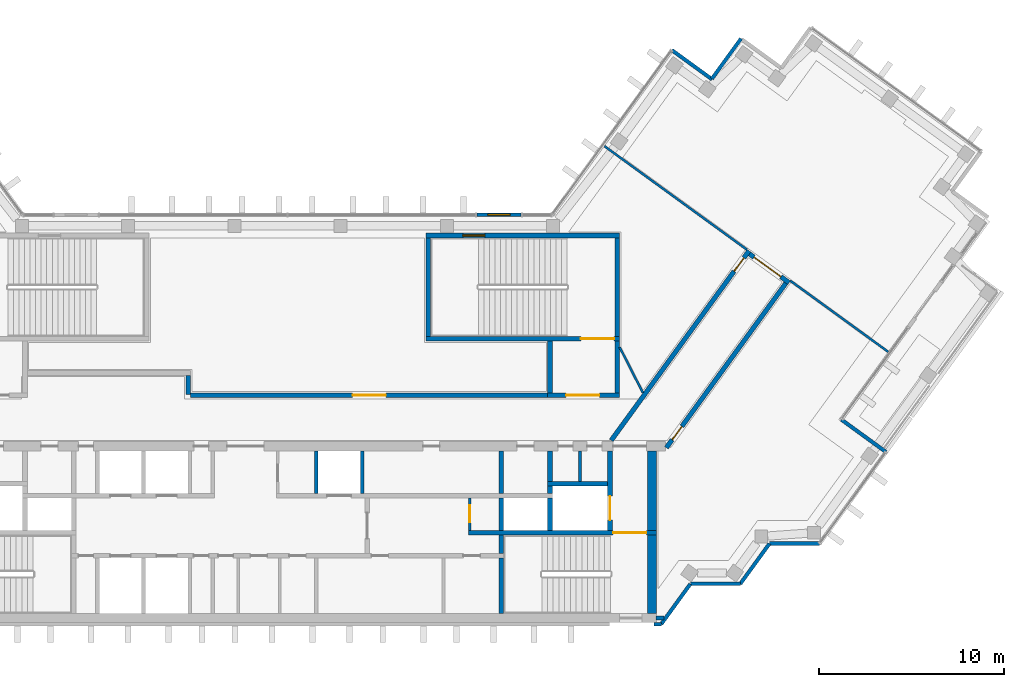
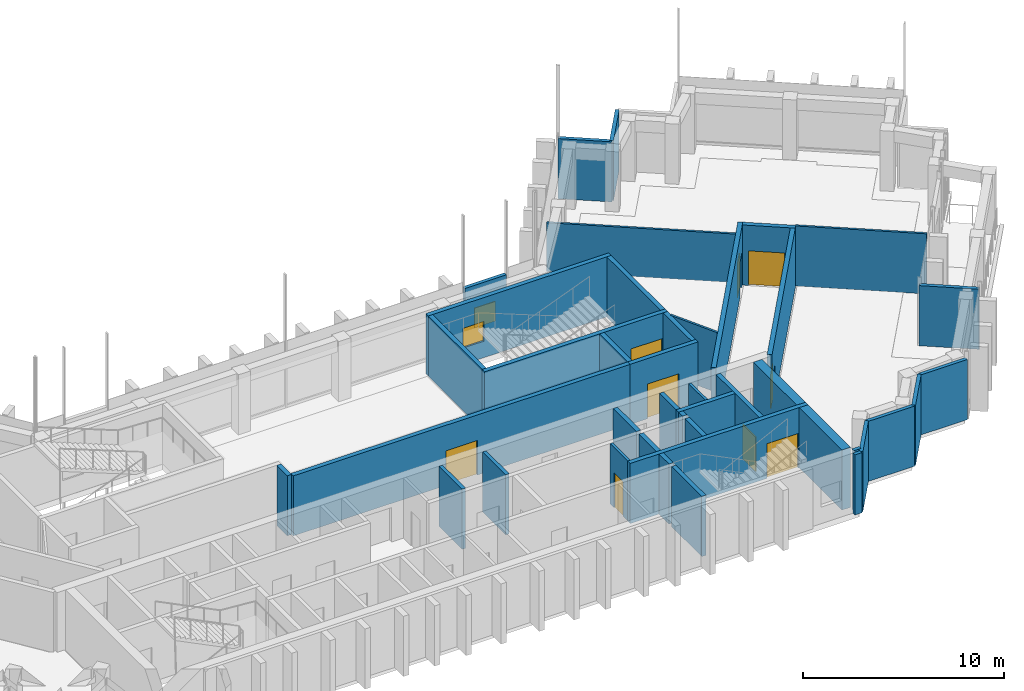
# One storey, part 11 of 14: 41 walls, 9 doors, 2 windows, 11 openings.
"""IFC4 building model written with IfcOpenShell, lengths in metres."""

from ifc_helpers import new_model, si_unit, direction, frame, frame_2d, origin, place, context, subcontext, project, spatial, rectangle, extrude, material, layer, layer_set, type_object, element, fill, save


model = new_model("IFC4")

# Units and contexts
model_context = context("Model", 3, precision=1e-05, world=origin(), true_north=direction((0.0, 1.0)))
body_context = subcontext(model_context, "Body", "Model", "MODEL_VIEW")
ifc_project = project(units=[si_unit("LENGTHUNIT", "METRE"), si_unit("AREAUNIT", "SQUARE_METRE"), si_unit("VOLUMEUNIT", "CUBIC_METRE"), si_unit("PLANEANGLEUNIT", "RADIAN"), si_unit("MASSUNIT", "GRAM", prefix="KILO")], contexts=[model_context])

# Site, building, storey
site_placement = place(None, origin())
site = spatial("IfcSite", under=ifc_project, at=site_placement, CompositionType="ELEMENT")
building_placement = place(site_placement, origin())
building = spatial("IfcBuilding", under=site, at=building_placement, Name="Quipu Civic Tower", CompositionType="ELEMENT")
storey_placement = place(building_placement, frame((0.0, 0.0, 311.0)))
storey = spatial("IfcBuildingStorey", under=building, at=storey_placement, Name="L72", CompositionType="ELEMENT", Elevation=311.0)

# Walls
ifc_material_1 = material(Name="Concrete C70/85", Category="concrete")
ifc_layer_1 = layer(ifc_material_1, 0.25)
ifc_layer_set_1 = layer_set([ifc_layer_1], Name="Concrete C70/85")
wall_type_1 = type_object("IfcWallType", Name="Core wall 250", PredefinedType="SHEAR", material=ifc_layer_set_1)
wall_1_placement = place(storey_placement, frame((11.574951171875, -10.5, 0.0), z_axis=(0.0, 0.0, 1.0), x_axis=(0.0, 1.0, 0.0)))
element("IfcWall", 1, at=wall_1_placement, inside=storey, type_object=wall_type_1, Name="Core wall", PredefinedType="SHEAR", context=body_context, shape_type="SweptSolid", body=[
    extrude(rectangle(XDim=3.0, YDim=0.25, at=frame_2d((1.5, 0.0))), origin(), (0.0, 0.0, 1.0), 3.64990234375),
])
wall_2_placement = place(storey_placement, frame((11.574951171875, -7.25, 0.0), z_axis=(0.0, 0.0, 1.0), x_axis=(0.0, 1.0, 0.0)))
element("IfcWall", 2, at=wall_2_placement, inside=storey, type_object=wall_type_1, Name="Core wall", PredefinedType="SHEAR", context=body_context, shape_type="SweptSolid", body=[
    extrude(rectangle(XDim=1.0, YDim=0.25, at=frame_2d((0.5, 0.0))), origin(), (0.0, 0.0, 1.0), 3.64990234375),
])

# Wall, opening, door
wall_3_placement = place(storey_placement, frame((20.0, -6.125, 0.0), z_axis=(0.0, 0.0, 1.0), x_axis=(-1.0, 0.0, 0.0)))
wall_3 = element("IfcWall", 3, at=wall_3_placement, inside=storey, type_object=wall_type_1, Name="Core wall", PredefinedType="SHEAR", context=body_context, shape_type="SweptSolid", body=[
    extrude(rectangle(XDim=10.199951171875, YDim=0.25, at=frame_2d((5.10009765625, 0.0))), origin(), (0.0, 0.0, 1.0), 3.64990234375),
])
opening_1_placement = place(wall_3_placement, frame((0.550048828125, 0.0, 0.0)))
opening_1 = element("IfcOpeningElement", 4, at=opening_1_placement, cuts=wall_3, Name="Opening CD-09", PredefinedType="OPENING", context=body_context, shape_type="SweptSolid", body=[
    extrude(rectangle(XDim=1.800048828125, YDim=2.10009765625, at=frame_2d((0.89990234375, 1.050048828125))), frame((0.0, 0.135009765625, 0.0), z_axis=(0.0, -1.0, 0.0), x_axis=(1.0, 0.0, 0.0)), (0.0, 0.0, 1.0), 0.27001953125),
])
ifc_material_2 = material(Name="Fire rated steel door", Category="steel")
door_type_1 = type_object("IfcDoorType", Name="Fire door FD90 double 1800 x 2100", OperationType="NOTDEFINED", PredefinedType="DOOR", material=ifc_material_2)
door_1_placement = place(opening_1_placement, origin())
door_1 = element("IfcDoor", 5, at=door_1_placement, inside=storey, type_object=door_type_1, Name="Door", OperationType="DOUBLE_DOOR_SINGLE_SWING", OverallHeight=2.10009765625, OverallWidth=1.800048828125, PredefinedType="DOOR", context=body_context, shape_type="SweptSolid", body=[
    extrude(rectangle(XDim=1.800048828125, YDim=2.10009765625, at=frame_2d((0.89990234375, 1.050048828125))), frame((0.0, 0.02490234375, 0.0), z_axis=(0.0, -1.0, 0.0), x_axis=(1.0, 0.0, 0.0)), (0.0, 0.0, 1.0), 0.050048828125),
])
fill(opening_1, door_1)

# Walls
for number, where, z_axis, x_axis, name in (
    (6, (11.574951171875, -6.0, 0.0), (0.0, 0.0, 1.0), (0.0, 1.0, 0.0), "Core wall"),
    (7, (14.22509765625, -6.0, 0.0), (0.0, 0.0, 1.0), (0.0, 1.0, 0.0), "Core wall"),
):
    element("IfcWall", number, at=place(storey_placement, frame(where, z_axis=z_axis, x_axis=x_axis)), inside=storey, type_object=wall_type_1, Name=name, PredefinedType="SHEAR", context=body_context, shape_type="SweptSolid", body=[
        extrude(rectangle(XDim=1.75, YDim=0.25, at=frame_2d((0.875, 0.0))), origin(), (0.0, 0.0, 1.0), 3.64990234375),
    ])

# Wall, opening, door
wall_4_placement = place(storey_placement, frame((17.47509765625, -6.0, 0.0), z_axis=(0.0, 0.0, 1.0), x_axis=(0.0, 1.0, 0.0)))
wall_4 = element("IfcWall", 8, at=wall_4_placement, inside=storey, type_object=wall_type_1, Name="Core wall", PredefinedType="SHEAR", context=body_context, shape_type="SweptSolid", body=[
    extrude(rectangle(XDim=4.300048828125, YDim=0.25, at=frame_2d((2.14990234375, 0.0))), origin(), (0.0, 0.0, 1.0), 3.64990234375),
])
opening_2_placement = place(wall_4_placement, frame((0.550048828125, 0.0, 0.0)))
opening_2 = element("IfcOpeningElement", 9, at=opening_2_placement, cuts=wall_4, Name="Opening LD-FF2", PredefinedType="OPENING", context=body_context, shape_type="SweptSolid", body=[
    extrude(rectangle(XDim=1.300048828125, YDim=2.10009765625, at=frame_2d((0.64990234375, 1.050048828125))), frame((0.0, 0.135009765625, 0.0), z_axis=(0.0, -1.0, 0.0), x_axis=(1.0, 0.0, 0.0)), (0.0, 0.0, 1.0), 0.27001953125),
])
ifc_material_3 = material(Name="Stainless steel", Category="steel")
door_type_2 = type_object("IfcDoorType", Name="Lift landing door 1300 x 2100", OperationType="DOUBLE_DOOR_SLIDING", PredefinedType="DOOR", material=ifc_material_3)
door_2_placement = place(opening_2_placement, origin())
door_2 = element("IfcDoor", 10, at=door_2_placement, inside=storey, type_object=door_type_2, Name="Landing door FF2", OperationType="DOUBLE_DOOR_SLIDING", OverallHeight=2.10009765625, OverallWidth=1.300048828125, PredefinedType="DOOR", context=body_context, shape_type="SweptSolid", body=[
    extrude(rectangle(XDim=1.300048828125, YDim=2.10009765625, at=frame_2d((0.64990234375, 1.050048828125))), frame((0.0, 0.02490234375, 0.0), z_axis=(0.0, -1.0, 0.0), x_axis=(1.0, 0.0, 0.0)), (0.0, 0.0, 1.0), 0.050048828125),
])
fill(opening_2, door_2)

# Walls
wall_5_placement = place(storey_placement, frame((11.574951171875, -4.0, 0.0), z_axis=(0.0, 0.0, 1.0), x_axis=(0.0, 1.0, 0.0)))
element("IfcWall", 11, at=wall_5_placement, inside=storey, type_object=wall_type_1, Name="Core wall", PredefinedType="SHEAR", context=body_context, shape_type="SweptSolid", body=[
    extrude(rectangle(XDim=2.300048828125, YDim=0.25, at=frame_2d((1.14990234375, 0.0))), origin(), (0.0, 0.0, 1.0), 3.64990234375),
])
wall_6_placement = place(storey_placement, frame((14.22509765625, -4.0, 0.0), z_axis=(0.0, 0.0, 1.0), x_axis=(0.0, 1.0, 0.0)))
element("IfcWall", 12, at=wall_6_placement, inside=storey, type_object=wall_type_1, Name="Core wall", PredefinedType="SHEAR", context=body_context, shape_type="SweptSolid", body=[
    extrude(rectangle(XDim=0.39990234375, YDim=0.25, at=frame_2d((0.199951171875, 0.0))), origin(), (0.0, 0.0, 1.0), 3.64990234375),
])
wall_7_placement = place(storey_placement, frame((14.10009765625, -3.47509765625, 0.0), z_axis=(0.0, 0.0, 1.0), x_axis=(1.0, 0.0, 0.0)))
element("IfcWall", 13, at=wall_7_placement, inside=storey, type_object=wall_type_1, Name="Core wall", PredefinedType="SHEAR", context=body_context, shape_type="SweptSolid", body=[
    extrude(rectangle(XDim=3.25, YDim=0.25, at=frame_2d((1.625, 0.0))), origin(), (0.0, 0.0, 1.0), 3.64990234375),
])
wall_8_placement = place(storey_placement, frame((14.22509765625, -3.35009765625, 0.0), z_axis=(0.0, 0.0, 1.0), x_axis=(0.0, 1.0, 0.0)))
element("IfcWall", 14, at=wall_8_placement, inside=storey, type_object=wall_type_1, Name="Core wall", PredefinedType="SHEAR", context=body_context, shape_type="SweptSolid", body=[
    extrude(rectangle(XDim=1.650146484375, YDim=0.25, at=frame_2d((0.8251953125, 0.0))), origin(), (0.0, 0.0, 1.0), 3.64990234375),
])

# Wall, opening, door
wall_9_placement = place(storey_placement, frame((14.10009765625, 1.324951171875, 0.0), z_axis=(0.0, 0.0, 1.0), x_axis=(1.0, 0.0, 0.0)))
wall_9 = element("IfcWall", 15, at=wall_9_placement, inside=storey, type_object=wall_type_1, Name="Core wall", PredefinedType="SHEAR", context=body_context, shape_type="SweptSolid", body=[
    extrude(rectangle(XDim=3.89990234375, YDim=0.25, at=frame_2d((1.949951171875, 0.0))), origin(), (0.0, 0.0, 1.0), 3.64990234375),
])
opening_3_placement = place(wall_9_placement, frame((1.0, 0.0, 0.0)))
opening_3 = element("IfcOpeningElement", 16, at=opening_3_placement, cuts=wall_9, Name="Opening CD-26", PredefinedType="OPENING", context=body_context, shape_type="SweptSolid", body=[
    extrude(rectangle(XDim=1.800048828125, YDim=2.10009765625, at=frame_2d((0.89990234375, 1.050048828125))), frame((0.0, 0.135009765625, 0.0), z_axis=(0.0, -1.0, 0.0), x_axis=(1.0, 0.0, 0.0)), (0.0, 0.0, 1.0), 0.27001953125),
])
door_3_placement = place(opening_3_placement, origin())
door_3 = element("IfcDoor", 17, at=door_3_placement, inside=storey, type_object=door_type_1, Name="Lobby door", OperationType="DOUBLE_DOOR_SINGLE_SWING", OverallHeight=2.10009765625, OverallWidth=1.800048828125, PredefinedType="DOOR", context=body_context, shape_type="SweptSolid", body=[
    extrude(rectangle(XDim=1.800048828125, YDim=2.10009765625, at=frame_2d((0.89990234375, 1.050048828125))), frame((0.0, 0.02490234375, 0.0), z_axis=(0.0, -1.0, 0.0), x_axis=(1.0, 0.0, 0.0)), (0.0, 0.0, 1.0), 0.050048828125),
])
fill(opening_3, door_3)

# Walls
for number, where, z_axis, x_axis, name in (
    (18, (14.22509765625, 1.449951171875, 0.0), (0.0, 0.0, 1.0), (0.0, 1.0, 0.0), "Core wall"),
    (19, (17.875, 1.449951171875, 0.0), (0.0, 0.0, 1.0), (0.0, 1.0, 0.0), "Core wall"),
):
    element("IfcWall", number, at=place(storey_placement, frame(where, z_axis=z_axis, x_axis=x_axis)), inside=storey, type_object=wall_type_1, Name=name, PredefinedType="SHEAR", context=body_context, shape_type="SweptSolid", body=[
        extrude(rectangle(XDim=2.800048828125, YDim=0.25, at=frame_2d((1.39990234375, 0.0))), origin(), (0.0, 0.0, 1.0), 3.64990234375),
    ])

# Wall, opening, door
wall_10_placement = place(storey_placement, frame((7.5, 4.375, 0.0), z_axis=(0.0, 0.0, 1.0), x_axis=(1.0, 0.0, 0.0)))
wall_10 = element("IfcWall", 20, at=wall_10_placement, inside=storey, type_object=wall_type_1, Name="Core wall", PredefinedType="SHEAR", context=body_context, shape_type="SweptSolid", body=[
    extrude(rectangle(XDim=10.5, YDim=0.25, at=frame_2d((5.25, 0.0))), origin(), (0.0, 0.0, 1.0), 3.64990234375),
])
opening_4_placement = place(wall_10_placement, frame((8.39990234375, 0.0, 0.0)))
opening_4 = element("IfcOpeningElement", 21, at=opening_4_placement, cuts=wall_10, Name="Opening CD-27", PredefinedType="OPENING", context=body_context, shape_type="SweptSolid", body=[
    extrude(rectangle(XDim=1.800048828125, YDim=2.10009765625, at=frame_2d((0.89990234375, 1.050048828125))), frame((0.0, 0.135009765625, 0.0), z_axis=(0.0, -1.0, 0.0), x_axis=(1.0, 0.0, 0.0)), (0.0, 0.0, 1.0), 0.27001953125),
])
door_4_placement = place(opening_4_placement, origin())
door_4 = element("IfcDoor", 22, at=door_4_placement, inside=storey, type_object=door_type_1, Name="Door", OperationType="DOUBLE_DOOR_SINGLE_SWING", OverallHeight=2.10009765625, OverallWidth=1.800048828125, PredefinedType="DOOR", context=body_context, shape_type="SweptSolid", body=[
    extrude(rectangle(XDim=1.800048828125, YDim=2.10009765625, at=frame_2d((0.89990234375, 1.050048828125))), frame((0.0, 0.02490234375, 0.0), z_axis=(0.0, -1.0, 0.0), x_axis=(1.0, 0.0, 0.0)), (0.0, 0.0, 1.0), 0.050048828125),
])
fill(opening_4, door_4)

# Walls
for number, where, z_axis, x_axis, name in (
    (23, (7.625, 4.5, 0.0), (0.0, 0.0, 1.0), (0.0, 1.0, 0.0), "Core wall"),
    (24, (17.875, 4.5, 0.0), (0.0, 0.0, 1.0), (0.0, 1.0, 0.0), "Core wall"),
):
    element("IfcWall", number, at=place(storey_placement, frame(where, z_axis=z_axis, x_axis=x_axis)), inside=storey, type_object=wall_type_1, Name=name, PredefinedType="SHEAR", context=body_context, shape_type="SweptSolid", body=[
        extrude(rectangle(XDim=5.35009765625, YDim=0.25, at=frame_2d((2.675048828125, 0.0))), origin(), (0.0, 0.0, 1.0), 3.64990234375),
    ])

# Wall, opening, window
wall_11_placement = place(storey_placement, frame((7.5, 9.97509765625, 0.0), z_axis=(0.0, 0.0, 1.0), x_axis=(1.0, 0.0, 0.0)))
wall_11 = element("IfcWall", 25, at=wall_11_placement, inside=storey, type_object=wall_type_1, Name="Core wall", PredefinedType="SHEAR", context=body_context, shape_type="SweptSolid", body=[
    extrude(rectangle(XDim=10.5, YDim=0.25, at=frame_2d((5.25, 0.0))), origin(), (0.0, 0.0, 1.0), 3.64990234375),
])
opening_5_placement = place(wall_11_placement, frame((2.0, 0.0, 1.0)))
opening_5 = element("IfcOpeningElement", 26, at=opening_5_placement, cuts=wall_11, Name="Opening SV-4", PredefinedType="OPENING", context=body_context, shape_type="SweptSolid", body=[
    extrude(rectangle(XDim=1.199951171875, YDim=1.199951171875, at=frame_2d((0.60009765625, 0.60009765625))), frame((0.0, 0.135009765625, 0.0), z_axis=(0.0, -1.0, 0.0), x_axis=(1.0, 0.0, 0.0)), (0.0, 0.0, 1.0), 0.27001953125),
])
ifc_material_4 = material(Name="Aluminium louvre", Category="aluminium")
window_type_1 = type_object("IfcWindowType", Name="Stair ventilation louvre 1200 x 1200", PartitioningType="SINGLE_PANEL", PredefinedType="WINDOW", material=ifc_material_4)
window_1_placement = place(opening_5_placement, origin())
window_1 = element("IfcWindow", 27, at=window_1_placement, inside=storey, type_object=window_type_1, Name="Stair ventilation opening", OverallHeight=1.199951171875, OverallWidth=1.199951171875, PartitioningType="SINGLE_PANEL", PredefinedType="WINDOW", context=body_context, shape_type="SweptSolid", body=[
    extrude(rectangle(XDim=1.199951171875, YDim=1.199951171875, at=frame_2d((0.60009765625, 0.60009765625))), frame((0.0, 0.030029296875, 0.0), z_axis=(0.0, -1.0, 0.0), x_axis=(1.0, 0.0, 0.0)), (0.0, 0.0, 1.0), 0.06005859375),
])
fill(opening_5, window_1)

# Walls
ifc_material_5 = material(Name="Concrete C70/85", Category="concrete")
ifc_layer_2 = layer(ifc_material_5, 0.5)
ifc_layer_set_2 = layer_set([ifc_layer_2], Name="Concrete C70/85")
wall_type_2 = type_object("IfcWallType", Name="Core wall 500", PredefinedType="SHEAR", material=ifc_layer_set_2)
wall_12_placement = place(storey_placement, frame((19.75, -10.5, 0.0), z_axis=(0.0, 0.0, 1.0), x_axis=(0.0, 1.0, 0.0)))
element("IfcWall", 28, at=wall_12_placement, inside=storey, type_object=wall_type_2, Name="Core wall", PredefinedType="SHEAR", context=body_context, shape_type="SweptSolid", body=[
    extrude(rectangle(XDim=4.25, YDim=0.5, at=frame_2d((2.125, 0.0))), origin(), (0.0, 0.0, 1.0), 3.64990234375),
])
wall_13_placement = place(storey_placement, frame((19.75, -6.0, 0.0), z_axis=(0.0, 0.0, 1.0), x_axis=(0.0, 1.0, 0.0)))
element("IfcWall", 29, at=wall_13_placement, inside=storey, type_object=wall_type_2, Name="Core wall", PredefinedType="SHEAR", context=body_context, shape_type="SweptSolid", body=[
    extrude(rectangle(XDim=4.300048828125, YDim=0.5, at=frame_2d((2.14990234375, 0.0))), origin(), (0.0, 0.0, 1.0), 3.64990234375),
])

# Wall, opening, door
ifc_material_6 = material(Name="Concrete C50/60", Category="concrete")
ifc_layer_3 = layer(ifc_material_6, 0.25)
ifc_layer_set_3 = layer_set([ifc_layer_3], Name="Concrete C50/60")
wall_type_3 = type_object("IfcWallType", Name="Corridor wall 250 concrete", PredefinedType="SOLIDWALL", material=ifc_layer_set_3)
wall_14_placement = place(storey_placement, frame((17.544921875, -1.124755859375, 0.0), z_axis=(0.0, 0.0, 1.0), x_axis=(0.587796810203, 0.809008596935, 0.0)))
wall_14 = element("IfcWall", 30, at=wall_14_placement, inside=storey, type_object=wall_type_3, Name="Corridor wall C01", PredefinedType="SOLIDWALL", context=body_context, shape_type="SweptSolid", body=[
    extrude(rectangle(XDim=12.703125, YDim=0.25, at=frame_2d((6.3515625, 0.0))), origin(), (0.0, 0.0, 1.0), 3.64990234375),
])
opening_6_placement = place(wall_14_placement, frame((11.32861328125, 0.0, 0.0)))
opening_6 = element("IfcOpeningElement", 31, at=opening_6_placement, cuts=wall_14, Name="Opening D001", PredefinedType="OPENING", context=body_context, shape_type="SweptSolid", body=[
    extrude(rectangle(XDim=0.89990234375, YDim=2.10009765625, at=frame_2d((0.449951171875, 1.050048828125))), frame((0.0, 0.135009765625, 0.0), z_axis=(0.0, -1.0, 0.0), x_axis=(1.0, 0.0, 0.0)), (0.0, 0.0, 1.0), 0.27001953125),
])
ifc_material_7 = material(Name="Fire rated timber door set with metal frame", Category="wood")
door_type_3 = type_object("IfcDoorType", Name="Single door 900 x 2100 FD60", OperationType="NOTDEFINED", PredefinedType="DOOR", material=ifc_material_7)
door_5_placement = place(opening_6_placement, origin())
door_5 = element("IfcDoor", 32, at=door_5_placement, inside=storey, type_object=door_type_3, Name="Door D001", OperationType="SINGLE_SWING_RIGHT", OverallHeight=2.10009765625, OverallWidth=0.89990234375, PredefinedType="DOOR", context=body_context, shape_type="SweptSolid", body=[
    extrude(rectangle(XDim=0.89990234375, YDim=2.10009765625, at=frame_2d((0.449951171875, 1.050048828125))), frame((0.0, 0.02490234375, 0.0), z_axis=(0.0, -1.0, 0.0), x_axis=(1.0, 0.0, 0.0)), (0.0, 0.0, 1.0), 0.050048828125),
])
fill(opening_6, door_5)

wall_15_placement = place(storey_placement, frame((25.039306640625, 8.9775390625, 0.0), z_axis=(0.0, 0.0, 1.0), x_axis=(0.809006914995, -0.587799125119, 0.0)))
wall_15 = element("IfcWall", 33, at=wall_15_placement, inside=storey, type_object=wall_type_3, Name="Corridor wall C02", PredefinedType="SOLIDWALL", context=body_context, shape_type="SweptSolid", body=[
    extrude(rectangle(XDim=2.64990234375, YDim=0.25, at=frame_2d((1.324951171875, 0.0))), origin(), (0.0, 0.0, 1.0), 3.64990234375),
])
opening_7_placement = place(wall_15_placement, frame((0.300537109375, 0.0, 0.0)))
opening_7 = element("IfcOpeningElement", 34, at=opening_7_placement, cuts=wall_15, Name="Opening D003", PredefinedType="OPENING", context=body_context, shape_type="SweptSolid", body=[
    extrude(rectangle(XDim=1.800048828125, YDim=2.10009765625, at=frame_2d((0.89990234375, 1.050048828125))), frame((0.0, 0.135009765625, 0.0), z_axis=(0.0, -1.0, 0.0), x_axis=(1.0, 0.0, 0.0)), (0.0, 0.0, 1.0), 0.27001953125),
])
ifc_material_8 = material(Name="Fire rated timber door set with metal frame", Category="wood")
door_type_4 = type_object("IfcDoorType", Name="Double door 1800 x 2100 FD60", OperationType="DOUBLE_DOOR_SINGLE_SWING", PredefinedType="DOOR", material=ifc_material_8)
door_6_placement = place(opening_7_placement, origin())
door_6 = element("IfcDoor", 35, at=door_6_placement, inside=storey, type_object=door_type_4, Name="Door D003", OperationType="DOUBLE_DOOR_SINGLE_SWING", OverallHeight=2.10009765625, OverallWidth=1.800048828125, PredefinedType="DOOR", context=body_context, shape_type="SweptSolid", body=[
    extrude(rectangle(XDim=1.800048828125, YDim=2.10009765625, at=frame_2d((0.89990234375, 1.050048828125))), frame((0.0, 0.02490234375, 0.0), z_axis=(0.0, -1.0, 0.0), x_axis=(1.0, 0.0, 0.0)), (0.0, 0.0, 1.0), 0.050048828125),
])
fill(opening_7, door_6)

wall_16_placement = place(storey_placement, frame((27.008544921875, 7.392333984375, 0.0), z_axis=(0.0, 0.0, 1.0), x_axis=(-0.587776457057, -0.809023384414, 0.0)))
wall_16 = element("IfcWall", 36, at=wall_16_placement, inside=storey, type_object=wall_type_3, Name="Corridor wall C03", PredefinedType="SOLIDWALL", context=body_context, shape_type="SweptSolid", body=[
    extrude(rectangle(XDim=11.0205078125, YDim=0.25, at=frame_2d((5.51025390625, 0.0))), origin(), (0.0, 0.0, 1.0), 3.64990234375),
])
opening_8_placement = place(wall_16_placement, frame((9.587646484375, 0.0, 0.0)))
opening_8 = element("IfcOpeningElement", 37, at=opening_8_placement, cuts=wall_16, Name="Opening D002", PredefinedType="OPENING", context=body_context, shape_type="SweptSolid", body=[
    extrude(rectangle(XDim=0.89990234375, YDim=2.10009765625, at=frame_2d((0.449951171875, 1.050048828125))), frame((0.0, 0.135009765625, 0.0), z_axis=(0.0, -1.0, 0.0), x_axis=(1.0, 0.0, 0.0)), (0.0, 0.0, 1.0), 0.27001953125),
])
door_7_placement = place(opening_8_placement, origin())
door_7 = element("IfcDoor", 38, at=door_7_placement, inside=storey, type_object=door_type_3, Name="Door D002", OperationType="SINGLE_SWING_RIGHT", OverallHeight=2.10009765625, OverallWidth=0.89990234375, PredefinedType="DOOR", context=body_context, shape_type="SweptSolid", body=[
    extrude(rectangle(XDim=0.89990234375, YDim=2.10009765625, at=frame_2d((0.449951171875, 1.050048828125))), frame((0.0, 0.02490234375, 0.0), z_axis=(0.0, -1.0, 0.0), x_axis=(1.0, 0.0, 0.0)), (0.0, 0.0, 1.0), 0.050048828125),
])
fill(opening_8, door_7)

# Wall
wall_17_placement = place(storey_placement, frame((-5.375, 2.39990234375, 0.0), z_axis=(0.0, 0.0, 1.0), x_axis=(0.0, -1.0, 0.0)))
element("IfcWall", 39, at=wall_17_placement, inside=storey, type_object=wall_type_3, Name="Corridor wall C08", PredefinedType="SOLIDWALL", context=body_context, shape_type="SweptSolid", body=[
    extrude(rectangle(XDim=1.041259765625, YDim=0.25, at=frame_2d((0.5205078125, 0.0))), origin(), (0.0, 0.0, 1.0), 3.64990234375),
])

# Wall, opening, door
wall_18_placement = place(storey_placement, frame((-5.246337890625, 1.324951171875, 0.0), z_axis=(0.0, 0.0, 1.0), x_axis=(1.0, 0.0, 0.0)))
wall_18 = element("IfcWall", 40, at=wall_18_placement, inside=storey, type_object=wall_type_3, Name="Corridor wall C09", PredefinedType="SOLIDWALL", context=body_context, shape_type="SweptSolid", body=[
    extrude(rectangle(XDim=19.33642578125, YDim=0.25, at=frame_2d((9.668212890625, 0.0))), origin(), (0.0, 0.0, 1.0), 3.64990234375),
])
opening_9_placement = place(wall_18_placement, frame((8.771240234375, 0.0, 0.0)))
opening_9 = element("IfcOpeningElement", 41, at=opening_9_placement, cuts=wall_18, Name="Opening D004", PredefinedType="OPENING", context=body_context, shape_type="SweptSolid", body=[
    extrude(rectangle(XDim=1.800048828125, YDim=2.10009765625, at=frame_2d((0.89990234375, 1.050048828125))), frame((0.0, 0.135009765625, 0.0), z_axis=(0.0, -1.0, 0.0), x_axis=(1.0, 0.0, 0.0)), (0.0, 0.0, 1.0), 0.27001953125),
])
door_8_placement = place(opening_9_placement, origin())
door_8 = element("IfcDoor", 42, at=door_8_placement, inside=storey, type_object=door_type_4, Name="Door D004", OperationType="DOUBLE_DOOR_SINGLE_SWING", OverallHeight=2.10009765625, OverallWidth=1.800048828125, PredefinedType="DOOR", context=body_context, shape_type="SweptSolid", body=[
    extrude(rectangle(XDim=1.800048828125, YDim=2.10009765625, at=frame_2d((0.89990234375, 1.050048828125))), frame((0.0, 0.02490234375, 0.0), z_axis=(0.0, -1.0, 0.0), x_axis=(1.0, 0.0, 0.0)), (0.0, 0.0, 1.0), 0.050048828125),
])
fill(opening_9, door_8)

# Walls
ifc_material_9 = material(Name="Gypsum plasterboard on light gauge framing")
ifc_layer_4 = layer(ifc_material_9, 0.1201171875)
ifc_layer_set_4 = layer_set([ifc_layer_4], Name="Gypsum plasterboard on light gauge framing")
wall_type_4 = type_object("IfcWallType", Name="Partition 120 plasterboard", PredefinedType="PARTITIONING", material=ifc_layer_set_4)
wall_19_placement = place(storey_placement, frame((24.898193359375, 9.209716796875, 0.0), z_axis=(0.0, 0.0, 1.0), x_axis=(-0.809046636998, 0.587744450559, 0.0)))
element("IfcWall", 43, at=wall_19_placement, inside=storey, type_object=wall_type_4, Name="Partition P01", PredefinedType="PARTITIONING", context=body_context, shape_type="SweptSolid", body=[
    extrude(rectangle(XDim=9.54931640625, YDim=0.1201171875, at=frame_2d((4.774658203125, 0.0))), origin(), (0.0, 0.0, 1.0), 2.949951171875),
])
wall_20_placement = place(storey_placement, frame((27.24072265625, 7.53271484375, 0.0), z_axis=(0.0, 0.0, 1.0), x_axis=(0.809057351259, -0.587729701796, 0.0)))
element("IfcWall", 44, at=wall_20_placement, inside=storey, type_object=wall_type_4, Name="Partition P04", PredefinedType="PARTITIONING", context=body_context, shape_type="SweptSolid", body=[
    extrude(rectangle(XDim=6.56982421875, YDim=0.1201171875, at=frame_2d((3.284912109375, 0.0))), origin(), (0.0, 0.0, 1.0), 3.64990234375),
])
wall_21_placement = place(storey_placement, frame((18.0, 3.925048828125, 0.0), z_axis=(0.0, 0.0, 1.0), x_axis=(0.453950796792, -0.891026752736, 0.0)))
element("IfcWall", 45, at=wall_21_placement, inside=storey, type_object=wall_type_4, Name="Partition P05", PredefinedType="PARTITIONING", context=body_context, shape_type="SweptSolid", body=[
    extrude(rectangle(XDim=2.77783203125, YDim=0.1201171875, at=frame_2d((1.388916015625, 0.0))), origin(), (0.0, 0.0, 1.0), 3.64990234375),
])

# Wall, opening, door
ifc_material_10 = material(Name="Gypsum board partition")
ifc_layer_5 = layer(ifc_material_10, 0.14990234375)
ifc_layer_set_5 = layer_set([ifc_layer_5], Name="Gypsum board partition")
wall_type_5 = type_object("IfcWallType", Name="Partition 150", PredefinedType="PARTITIONING", material=ifc_layer_set_5)
wall_22_placement = place(storey_placement, frame((9.875, -6.0, 0.0), z_axis=(0.0, 0.0, 1.0), x_axis=(0.0, 1.0, 0.0)))
wall_22 = element("IfcWall", 46, at=wall_22_placement, inside=storey, type_object=wall_type_5, Name="Partition", PredefinedType="PARTITIONING", context=body_context, shape_type="SweptSolid", body=[
    extrude(rectangle(XDim=1.75, YDim=0.14990234375, at=frame_2d((0.875, 0.0))), origin(), (0.0, 0.0, 1.0), 3.64990234375),
])
opening_10_placement = place(wall_22_placement, frame((0.449951171875, 0.0, 0.0)))
opening_10 = element("IfcOpeningElement", 47, at=opening_10_placement, cuts=wall_22, Name="Opening CD-11", PredefinedType="OPENING", context=body_context, shape_type="SweptSolid", body=[
    extrude(rectangle(XDim=0.89990234375, YDim=2.10009765625, at=frame_2d((0.449951171875, 1.050048828125))), frame((0.0, 0.0849609375, 0.0), z_axis=(0.0, -1.0, 0.0), x_axis=(1.0, 0.0, 0.0)), (0.0, 0.0, 1.0), 0.169921875),
])
ifc_material_11 = material(Name="Fire rated steel door", Category="steel")
door_type_5 = type_object("IfcDoorType", Name="Fire door FD60 900 x 2100", OperationType="NOTDEFINED", PredefinedType="DOOR", material=ifc_material_11)
door_9_placement = place(opening_10_placement, origin())
door_9 = element("IfcDoor", 48, at=door_9_placement, inside=storey, type_object=door_type_5, Name="Door", OperationType="SINGLE_SWING_RIGHT", OverallHeight=2.10009765625, OverallWidth=0.89990234375, PredefinedType="DOOR", context=body_context, shape_type="SweptSolid", body=[
    extrude(rectangle(XDim=0.89990234375, YDim=2.10009765625, at=frame_2d((0.449951171875, 1.050048828125))), frame((0.0, 0.02490234375, 0.0), z_axis=(0.0, -1.0, 0.0), x_axis=(1.0, 0.0, 0.0)), (0.0, 0.0, 1.0), 0.050048828125),
])
fill(opening_10, door_9)

# Walls
wall_23_placement = place(storey_placement, frame((15.85009765625, -3.35009765625, 0.0), z_axis=(0.0, 0.0, 1.0), x_axis=(0.0, 1.0, 0.0)))
element("IfcWall", 49, at=wall_23_placement, inside=storey, type_object=wall_type_5, Name="Partition", PredefinedType="PARTITIONING", context=body_context, shape_type="SweptSolid", body=[
    extrude(rectangle(XDim=1.650146484375, YDim=0.14990234375, at=frame_2d((0.8251953125, 0.0))), origin(), (0.0, 0.0, 1.0), 3.64990234375),
])
ifc_material_12 = material(Name="Precast concrete C40/50", Category="concrete")
wall_type_6 = type_object("IfcWallType", Name="Precast cladding wall", PredefinedType="SOLIDWALL", material=ifc_material_12)
wall_24_placement = place(storey_placement, frame((32.44091796875, -1.760986328125, 0.0), z_axis=(0.0, 0.0, 1.0), x_axis=(-0.808999938455, 0.587808727036, 0.0)))
element("IfcWall", 50, at=wall_24_placement, inside=storey, type_object=wall_type_6, Name="Precast cladding wall L72 2", PredefinedType="SOLIDWALL", context=body_context, shape_type="SweptSolid", body=[
    extrude(rectangle(XDim=3.0, YDim=0.199951171875, at=frame_2d((1.5, 0.0))), origin(), (0.0, 0.0, 1.0), 3.64990234375),
])
for number, where, z_axis, x_axis, name in (
    (51, (24.583251953125, 20.64990234375, 0.0), (0.0, 0.0, 1.0), (-0.587762999008, -0.809033161865, 0.0), "Precast cladding wall L72 P05"),
    (52, (23.01318359375, 18.438232421875, 0.0), (0.0, 0.0, 1.0), (-0.808990163075, 0.587822180636, 0.0), "Precast cladding wall L72 P06"),
):
    element("IfcWall", number, at=place(storey_placement, frame(where, z_axis=z_axis, x_axis=x_axis)), inside=storey, type_object=wall_type_6, Name=name, PredefinedType="SOLIDWALL", context=body_context, shape_type="SweptSolid", body=[
        extrude(rectangle(XDim=2.699951171875, YDim=0.199951171875, at=frame_2d((1.35009765625, 0.0))), origin(), (0.0, 0.0, 1.0), 3.64990234375),
    ])

# Wall, opening, window
wall_25_placement = place(storey_placement, frame((12.655029296875, 11.10009765625, 0.0), z_axis=(0.0, 0.0, 1.0), x_axis=(-1.0, 0.0, 0.0)))
wall_25 = element("IfcWall", 53, at=wall_25_placement, inside=storey, type_object=wall_type_6, Name="Vent surround SF-L71-2", PredefinedType="SOLIDWALL", context=body_context, shape_type="SweptSolid", body=[
    extrude(rectangle(XDim=2.3916015625, YDim=0.199951171875, at=frame_2d((1.19580078125, 0.0))), origin(), (0.0, 0.0, 1.0), 3.64990234375),
])
opening_11_placement = place(wall_25_placement, frame((0.595703125, 0.0, 1.0)))
opening_11 = element("IfcOpeningElement", 54, at=opening_11_placement, cuts=wall_25, Name="Opening SF-L71-2", PredefinedType="OPENING", context=body_context, shape_type="SweptSolid", body=[
    extrude(rectangle(XDim=1.199951171875, YDim=1.199951171875, at=frame_2d((0.60009765625, 0.60009765625))), frame((0.0, 0.10986328125, 0.0), z_axis=(0.0, -1.0, 0.0), x_axis=(1.0, 0.0, 0.0)), (0.0, 0.0, 1.0), 0.219970703125),
])
ifc_material_13 = material(Name="Anodised aluminium louvre", Category="aluminium")
window_type_2 = type_object("IfcWindowType", Name="Stair vent louvre window P3", PartitioningType="SINGLE_PANEL", PredefinedType="WINDOW", material=ifc_material_13)
window_2_placement = place(opening_11_placement, origin())
window_2 = element("IfcWindow", 55, at=window_2_placement, inside=storey, type_object=window_type_2, Name="Stair vent louvre SF-L71-2", OverallHeight=1.199951171875, OverallWidth=1.199951171875, PartitioningType="SINGLE_PANEL", PredefinedType="WINDOW", context=body_context, shape_type="SweptSolid", body=[
    extrude(rectangle(XDim=1.199951171875, YDim=1.199951171875, at=frame_2d((0.60009765625, 0.60009765625))), frame((0.0, 0.030029296875, 0.0), z_axis=(0.0, -1.0, 0.0), x_axis=(1.0, 0.0, 0.0)), (0.0, 0.0, 1.0), 0.06005859375),
])
fill(opening_11, window_2)

# Walls
wall_26_placement = place(storey_placement, frame((19.85009765625, -11.087890625, 0.0), z_axis=(0.0, 0.0, 1.0), x_axis=(1.0, 0.0, 0.0)))
element("IfcWall", 56, at=wall_26_placement, inside=storey, type_object=wall_type_6, Name="Precast cladding wall L72 P31", PredefinedType="SOLIDWALL", context=body_context, shape_type="SweptSolid", body=[
    extrude(rectangle(XDim=0.40576171875, YDim=0.199951171875, at=frame_2d((0.202880859375, 0.0))), origin(), (0.0, 0.0, 1.0), 3.64990234375),
])
wall_27_placement = place(storey_placement, frame((20.253173828125, -11.083251953125, 0.0), z_axis=(0.0, 0.0, 1.0), x_axis=(0.587766567315, 0.809030569476, 0.0)))
element("IfcWall", 57, at=wall_27_placement, inside=storey, type_object=wall_type_6, Name="Precast cladding wall L72 P32", PredefinedType="SOLIDWALL", context=body_context, shape_type="SweptSolid", body=[
    extrude(rectangle(XDim=2.687744140625, YDim=0.199951171875, at=frame_2d((1.34375, 0.0))), origin(), (0.0, 0.0, 1.0), 3.64990234375),
])
wall_28_placement = place(storey_placement, frame((21.8427734375, -8.90380859375, 0.0), z_axis=(0.0, 0.0, 1.0), x_axis=(1.0, 0.0, 0.0)))
element("IfcWall", 58, at=wall_28_placement, inside=storey, type_object=wall_type_6, Name="Precast cladding wall L72 P33", PredefinedType="SOLIDWALL", context=body_context, shape_type="SweptSolid", body=[
    extrude(rectangle(XDim=2.699951171875, YDim=0.199951171875, at=frame_2d((1.35009765625, 0.0))), origin(), (0.0, 0.0, 1.0), 3.64990234375),
])
wall_29_placement = place(storey_placement, frame((24.533203125, -8.90869140625, 0.0), z_axis=(0.0, 0.0, 1.0), x_axis=(0.587720002413, 0.809064397168, 0.0)))
element("IfcWall", 59, at=wall_29_placement, inside=storey, type_object=wall_type_6, Name="Precast cladding wall L72 P34", PredefinedType="SOLIDWALL", context=body_context, shape_type="SweptSolid", body=[
    extrude(rectangle(XDim=2.7001953125, YDim=0.199951171875, at=frame_2d((1.35009765625, 0.0))), origin(), (0.0, 0.0, 1.0), 3.64990234375),
])
wall_30_placement = place(storey_placement, frame((26.1298828125, -6.71923828125, 0.0), z_axis=(0.0, 0.0, 1.0), x_axis=(1.0, 0.0, 0.0)))
element("IfcWall", 60, at=wall_30_placement, inside=storey, type_object=wall_type_6, Name="Precast cladding wall L72 P35", PredefinedType="SOLIDWALL", context=body_context, shape_type="SweptSolid", body=[
    extrude(rectangle(XDim=2.699951171875, YDim=0.199951171875, at=frame_2d((1.35009765625, 0.0))), origin(), (0.0, 0.0, 1.0), 3.64990234375),
])
wall_31_placement = place(storey_placement, frame((19.97998046875, -10.75, 0.0), z_axis=(0.0, 0.0, 1.0), x_axis=(1.0, 0.0, 0.0)))
element("IfcWall", 61, at=wall_31_placement, inside=storey, type_object=wall_type_6, Name="Precast cladding return L72 E", PredefinedType="SOLIDWALL", context=body_context, shape_type="SweptSolid", body=[
    extrude(rectangle(XDim=0.41650390625, YDim=0.199951171875, at=frame_2d((0.208251953125, 0.0))), origin(), (0.0, 0.0, 1.0), 3.64990234375),
])
ifc_material_14 = material(Name="Concrete C40/50", Category="concrete")
ifc_layer_6 = layer(ifc_material_14, 0.199951171875)
ifc_layer_set_6 = layer_set([ifc_layer_6], Name="Concrete C40/50")
wall_type_7 = type_object("IfcWallType", Name="Shaft wall 200", PredefinedType="SOLIDWALL", material=ifc_layer_set_6)
for number, where, z_axis, x_axis, name in (
    (62, (1.550048828125, -4.0, 0.0), (0.0, 0.0, 1.0), (0.0, 1.0, 0.0), "Shaft wall"),
    (63, (4.050048828125, -4.0, 0.0), (0.0, 0.0, 1.0), (0.0, 1.0, 0.0), "Shaft wall"),
):
    element("IfcWall", number, at=place(storey_placement, frame(where, z_axis=z_axis, x_axis=x_axis)), inside=storey, type_object=wall_type_7, Name=name, PredefinedType="SOLIDWALL", context=body_context, shape_type="SweptSolid", body=[
        extrude(rectangle(XDim=2.300048828125, YDim=0.199951171875, at=frame_2d((1.14990234375, 0.0))), origin(), (0.0, 0.0, 1.0), 3.64990234375),
    ])

save(model, "model.ifc")
